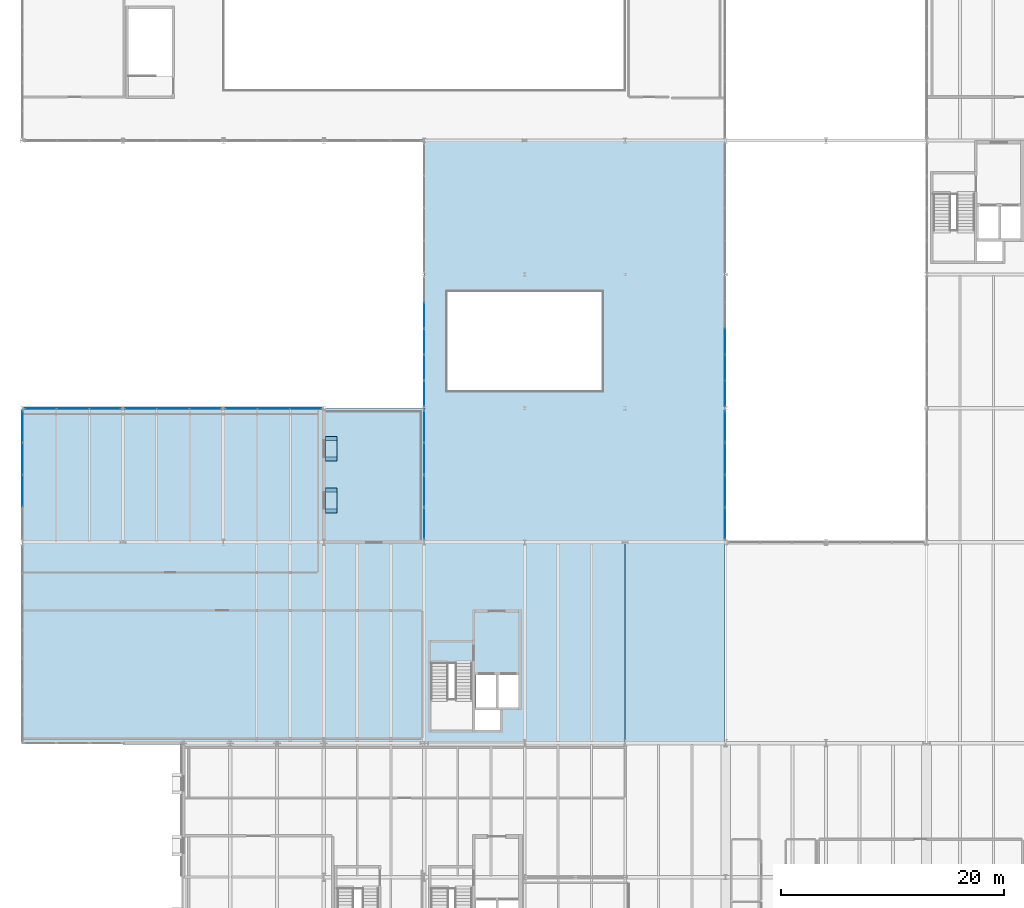
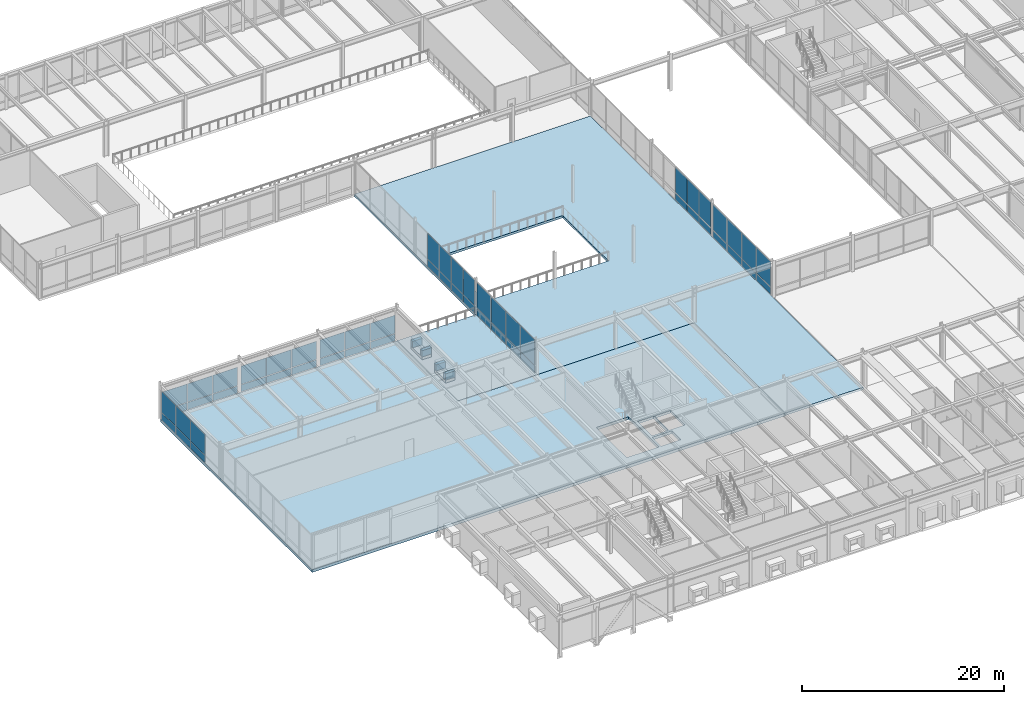
# One storey, part 90 of 115: 62 plates, 3 slabs, 8 elements without a shape of their own.
"""IFC4 building model written with IfcOpenShell, lengths in metres."""

from ifc_helpers import new_model, si_unit, direction, frame, origin, origin_2d, place, context, subcontext, project, spatial, polyline, rectangle, outline, extrude, material, layer, layer_set, type_object, element, aggregate, save


model = new_model("IFC4")

# Units and contexts
model_context = context("Model", 3, precision=1e-05, world=origin(), true_north=direction((0.0, 1.0)))
body_context = subcontext(model_context, "Body", "Model", "MODEL_VIEW")
ifc_project = project(units=[si_unit("LENGTHUNIT", "METRE"), si_unit("AREAUNIT", "SQUARE_METRE"), si_unit("VOLUMEUNIT", "CUBIC_METRE"), si_unit("PLANEANGLEUNIT", "RADIAN"), si_unit("MASSUNIT", "GRAM", prefix="KILO")], contexts=[model_context])

# Site, building, storey
site_placement = place(None, origin())
site = spatial("IfcSite", under=ifc_project, at=site_placement, CompositionType="ELEMENT")
building_placement = place(site_placement, origin())
building = spatial("IfcBuilding", under=site, at=building_placement, Name="Montelvaro Courts of Justice", CompositionType="ELEMENT")
storey_placement = place(building_placement, frame((0.0, 0.0, 9.89990234375)))
storey = spatial("IfcBuildingStorey", under=building, at=storey_placement, Name="L02", CompositionType="ELEMENT", Elevation=9.89990234375)

# Curtain wall, plates
ifc_material_1 = material(Name="Anodised aluminium EN AW-6063", Category="aluminium")
ifc_layer_1 = layer(ifc_material_1, 0.159912109375)
ifc_layer_set_1 = layer_set([ifc_layer_1], Name="Anodised aluminium EN AW-6063")
curtain_wall_type_1 = type_object("IfcCurtainWallType", Name="CurtainWall_18_868x418", PredefinedType="USERDEFINED", material=ifc_layer_set_1)
curtain_wall_1_placement = place(storey_placement, origin())
curtain_wall_1 = element("IfcCurtainWall", 1, at=curtain_wall_1_placement, inside=storey, type_object=curtain_wall_type_1, Name="Curtain Wall CW-18 (L02)", ObjectType="CURTAIN WALL", PredefinedType="USERDEFINED")
ifc_material_2 = material(Name="Low-E solar control double glazing", Category="glass")
ifc_layer_2 = layer(ifc_material_2, 0.028076171875)
ifc_layer_set_2 = layer_set([ifc_layer_2], Name="Low-E solar control double glazing")
plate_type_1 = type_object("IfcPlateType", Name="CurtainWall_Glazed_Panel_28", PredefinedType="CURTAIN_PANEL", material=ifc_layer_set_2)
plate_1_placement = place(storey_placement, frame((43.373291015625, 54.0, 0.0751953125), z_axis=(0.0, 0.0, 1.0), x_axis=(-1.0, 0.0, 0.0)))
plate_1 = element("IfcPlate", 2, at=plate_1_placement, type_object=plate_type_1, Name="CW-18 panel 1.1", PredefinedType="CURTAIN_PANEL", context=body_context, shape_type="SweptSolid", body=[
    extrude(rectangle(XDim=2.80322265625, YDim=0.028076171875, at=origin_2d()), origin(), (0.0, 0.0, 1.0), 0.83740234375),
])
plate_2_placement = place(storey_placement, frame((43.373291015625, 54.0, 0.987548828125), z_axis=(0.0, 0.0, 1.0), x_axis=(-1.0, 0.0, 0.0)))
plate_2 = element("IfcPlate", 3, at=plate_2_placement, type_object=plate_type_1, Name="CW-18 panel 1.2", PredefinedType="CURTAIN_PANEL", context=body_context, shape_type="SweptSolid", body=[
    extrude(rectangle(XDim=2.80322265625, YDim=0.028076171875, at=origin_2d()), origin(), (0.0, 0.0, 1.0), 2.1826171875),
])
plate_3_placement = place(storey_placement, frame((40.4951171875, 54.0, 0.0751953125), z_axis=(0.0, 0.0, 1.0), x_axis=(-1.0, 0.0, 0.0)))
plate_3 = element("IfcPlate", 4, at=plate_3_placement, type_object=plate_type_1, Name="CW-18 panel 2.1", PredefinedType="CURTAIN_PANEL", context=body_context, shape_type="SweptSolid", body=[
    extrude(rectangle(XDim=2.833251953125, YDim=0.028076171875, at=origin_2d()), origin(), (0.0, 0.0, 1.0), 0.83740234375),
])
plate_4_placement = place(storey_placement, frame((40.4951171875, 54.0, 0.987548828125), z_axis=(0.0, 0.0, 1.0), x_axis=(-1.0, 0.0, 0.0)))
plate_4 = element("IfcPlate", 5, at=plate_4_placement, type_object=plate_type_1, Name="CW-18 panel 2.2", PredefinedType="CURTAIN_PANEL", context=body_context, shape_type="SweptSolid", body=[
    extrude(rectangle(XDim=2.833251953125, YDim=0.028076171875, at=origin_2d()), origin(), (0.0, 0.0, 1.0), 2.1826171875),
])
plate_5_placement = place(storey_placement, frame((37.61669921875, 54.0, 0.0751953125), z_axis=(0.0, 0.0, 1.0), x_axis=(-1.0, 0.0, 0.0)))
plate_5 = element("IfcPlate", 6, at=plate_5_placement, type_object=plate_type_1, Name="CW-18 panel 3.1", PredefinedType="CURTAIN_PANEL", context=body_context, shape_type="SweptSolid", body=[
    extrude(rectangle(XDim=2.80322265625, YDim=0.028076171875, at=origin_2d()), origin(), (0.0, 0.0, 1.0), 0.83740234375),
])
plate_6_placement = place(storey_placement, frame((37.61669921875, 54.0, 0.987548828125), z_axis=(0.0, 0.0, 1.0), x_axis=(-1.0, 0.0, 0.0)))
plate_6 = element("IfcPlate", 7, at=plate_6_placement, type_object=plate_type_1, Name="CW-18 panel 3.2", PredefinedType="CURTAIN_PANEL", context=body_context, shape_type="SweptSolid", body=[
    extrude(rectangle(XDim=2.80322265625, YDim=0.028076171875, at=origin_2d()), origin(), (0.0, 0.0, 1.0), 2.1826171875),
])
aggregate(curtain_wall_1, [plate_1, plate_2, plate_3, plate_4, plate_5, plate_6])

curtain_wall_2_placement = place(storey_placement, origin())
curtain_wall_2 = element("IfcCurtainWall", 8, at=curtain_wall_2_placement, inside=storey, type_object=curtain_wall_type_1, Name="Curtain Wall CW-18 (L02)", ObjectType="CURTAIN WALL", PredefinedType="USERDEFINED")
plate_7_placement = place(storey_placement, frame((34.3798828125, 54.0, 0.0751953125), z_axis=(0.0, 0.0, 1.0), x_axis=(-1.0, 0.0, 0.0)))
plate_7 = element("IfcPlate", 9, at=plate_7_placement, type_object=plate_type_1, Name="CW-18 panel 1.1", PredefinedType="CURTAIN_PANEL", context=body_context, shape_type="SweptSolid", body=[
    extrude(rectangle(XDim=2.81005859375, YDim=0.028076171875, at=origin_2d()), origin(), (0.0, 0.0, 1.0), 0.83740234375),
])
plate_8_placement = place(storey_placement, frame((34.3798828125, 54.0, 0.987548828125), z_axis=(0.0, 0.0, 1.0), x_axis=(-1.0, 0.0, 0.0)))
plate_8 = element("IfcPlate", 10, at=plate_8_placement, type_object=plate_type_1, Name="CW-18 panel 1.2", PredefinedType="CURTAIN_PANEL", context=body_context, shape_type="SweptSolid", body=[
    extrude(rectangle(XDim=2.81005859375, YDim=0.028076171875, at=origin_2d()), origin(), (0.0, 0.0, 1.0), 2.1826171875),
])
plate_9_placement = place(storey_placement, frame((31.4951171875, 54.0, 0.0751953125), z_axis=(0.0, 0.0, 1.0), x_axis=(-1.0, 0.0, 0.0)))
plate_9 = element("IfcPlate", 11, at=plate_9_placement, type_object=plate_type_1, Name="CW-18 panel 2.1", PredefinedType="CURTAIN_PANEL", context=body_context, shape_type="SweptSolid", body=[
    extrude(rectangle(XDim=2.840087890625, YDim=0.028076171875, at=origin_2d()), origin(), (0.0, 0.0, 1.0), 0.83740234375),
])
plate_10_placement = place(storey_placement, frame((31.4951171875, 54.0, 0.987548828125), z_axis=(0.0, 0.0, 1.0), x_axis=(-1.0, 0.0, 0.0)))
plate_10 = element("IfcPlate", 12, at=plate_10_placement, type_object=plate_type_1, Name="CW-18 panel 2.2", PredefinedType="CURTAIN_PANEL", context=body_context, shape_type="SweptSolid", body=[
    extrude(rectangle(XDim=2.840087890625, YDim=0.028076171875, at=origin_2d()), origin(), (0.0, 0.0, 1.0), 2.1826171875),
])
plate_11_placement = place(storey_placement, frame((28.610107421875, 54.0, 0.0751953125), z_axis=(0.0, 0.0, 1.0), x_axis=(-1.0, 0.0, 0.0)))
plate_11 = element("IfcPlate", 13, at=plate_11_placement, type_object=plate_type_1, Name="CW-18 panel 3.1", PredefinedType="CURTAIN_PANEL", context=body_context, shape_type="SweptSolid", body=[
    extrude(rectangle(XDim=2.81005859375, YDim=0.028076171875, at=origin_2d()), origin(), (0.0, 0.0, 1.0), 0.83740234375),
])
plate_12_placement = place(storey_placement, frame((28.610107421875, 54.0, 0.987548828125), z_axis=(0.0, 0.0, 1.0), x_axis=(-1.0, 0.0, 0.0)))
plate_12 = element("IfcPlate", 14, at=plate_12_placement, type_object=plate_type_1, Name="CW-18 panel 3.2", PredefinedType="CURTAIN_PANEL", context=body_context, shape_type="SweptSolid", body=[
    extrude(rectangle(XDim=2.81005859375, YDim=0.028076171875, at=origin_2d()), origin(), (0.0, 0.0, 1.0), 2.1826171875),
])
aggregate(curtain_wall_2, [plate_7, plate_8, plate_9, plate_10, plate_11, plate_12])

curtain_wall_3_placement = place(storey_placement, origin())
curtain_wall_3 = element("IfcCurtainWall", 15, at=curtain_wall_3_placement, inside=storey, type_object=curtain_wall_type_1, Name="Curtain Wall CW-18 (L02)", ObjectType="CURTAIN WALL", PredefinedType="USERDEFINED")
plate_13_placement = place(storey_placement, frame((25.3916015625, 54.0, 0.06005859375), z_axis=(0.0, 0.0, 1.0), x_axis=(-1.0, 0.0, 0.0)))
plate_13 = element("IfcPlate", 16, at=plate_13_placement, type_object=plate_type_1, Name="CW-18 panel 1.1", PredefinedType="CURTAIN_PANEL", context=body_context, shape_type="SweptSolid", body=[
    extrude(rectangle(XDim=2.806640625, YDim=0.028076171875, at=origin_2d()), origin(), (0.0, 0.0, 1.0), 0.860107421875),
])
plate_14_placement = place(storey_placement, frame((25.3916015625, 54.0, 0.97998046875), z_axis=(0.0, 0.0, 1.0), x_axis=(-1.0, 0.0, 0.0)))
plate_14 = element("IfcPlate", 17, at=plate_14_placement, type_object=plate_type_1, Name="CW-18 panel 1.2", PredefinedType="CURTAIN_PANEL", context=body_context, shape_type="SweptSolid", body=[
    extrude(rectangle(XDim=2.806640625, YDim=0.028076171875, at=origin_2d()), origin(), (0.0, 0.0, 1.0), 2.205078125),
])
plate_15_placement = place(storey_placement, frame((22.510009765625, 54.0, 0.06005859375), z_axis=(0.0, 0.0, 1.0), x_axis=(-1.0, 0.0, 0.0)))
plate_15 = element("IfcPlate", 18, at=plate_15_placement, type_object=plate_type_1, Name="CW-18 panel 2.1", PredefinedType="CURTAIN_PANEL", context=body_context, shape_type="SweptSolid", body=[
    extrude(rectangle(XDim=2.836669921875, YDim=0.028076171875, at=origin_2d()), origin(), (0.0, 0.0, 1.0), 0.860107421875),
])
plate_16_placement = place(storey_placement, frame((22.510009765625, 54.0, 0.97998046875), z_axis=(0.0, 0.0, 1.0), x_axis=(-1.0, 0.0, 0.0)))
plate_16 = element("IfcPlate", 19, at=plate_16_placement, type_object=plate_type_1, Name="CW-18 panel 2.2", PredefinedType="CURTAIN_PANEL", context=body_context, shape_type="SweptSolid", body=[
    extrude(rectangle(XDim=2.836669921875, YDim=0.028076171875, at=origin_2d()), origin(), (0.0, 0.0, 1.0), 2.205078125),
])
plate_17_placement = place(storey_placement, frame((19.62841796875, 54.0, 0.06005859375), z_axis=(0.0, 0.0, 1.0), x_axis=(-1.0, 0.0, 0.0)))
plate_17 = element("IfcPlate", 20, at=plate_17_placement, type_object=plate_type_1, Name="CW-18 panel 3.1", PredefinedType="CURTAIN_PANEL", context=body_context, shape_type="SweptSolid", body=[
    extrude(rectangle(XDim=2.806640625, YDim=0.028076171875, at=origin_2d()), origin(), (0.0, 0.0, 1.0), 0.860107421875),
])
plate_18_placement = place(storey_placement, frame((19.62841796875, 54.0, 0.97998046875), z_axis=(0.0, 0.0, 1.0), x_axis=(-1.0, 0.0, 0.0)))
plate_18 = element("IfcPlate", 21, at=plate_18_placement, type_object=plate_type_1, Name="CW-18 panel 3.2", PredefinedType="CURTAIN_PANEL", context=body_context, shape_type="SweptSolid", body=[
    extrude(rectangle(XDim=2.806640625, YDim=0.028076171875, at=origin_2d()), origin(), (0.0, 0.0, 1.0), 2.205078125),
])
aggregate(curtain_wall_3, [plate_13, plate_14, plate_15, plate_16, plate_17, plate_18])

ifc_layer_3 = layer(ifc_material_1, 0.159912109375)
ifc_layer_set_3 = layer_set([ifc_layer_3], Name="Anodised aluminium EN AW-6063")
curtain_wall_type_2 = type_object("IfcCurtainWallType", Name="CurtainWall_23_1154x418", PredefinedType="USERDEFINED", material=ifc_layer_set_3)
curtain_wall_4_placement = place(storey_placement, origin())
curtain_wall_4 = element("IfcCurtainWall", 22, at=curtain_wall_4_placement, inside=storey, type_object=curtain_wall_type_2, Name="Curtain Wall CW-23 (L02)", ObjectType="CURTAIN WALL", PredefinedType="USERDEFINED")
plate_19_placement = place(storey_placement, frame((18.0, 52.37255859375, 0.06005859375), z_axis=(0.0, 0.0, 1.0), x_axis=(0.0, -1.0, 0.0)))
plate_19 = element("IfcPlate", 23, at=plate_19_placement, type_object=plate_type_1, Name="CW-23 panel 1.1", PredefinedType="CURTAIN_PANEL", context=body_context, shape_type="SweptSolid", body=[
    extrude(rectangle(XDim=2.794921875, YDim=0.028076171875, at=origin_2d()), origin(), (0.0, 0.0, 1.0), 0.860107421875),
])
plate_20_placement = place(storey_placement, frame((18.0, 52.37255859375, 0.97998046875), z_axis=(0.0, 0.0, 1.0), x_axis=(0.0, -1.0, 0.0)))
plate_20 = element("IfcPlate", 24, at=plate_20_placement, type_object=plate_type_1, Name="CW-23 panel 1.2", PredefinedType="CURTAIN_PANEL", context=body_context, shape_type="SweptSolid", body=[
    extrude(rectangle(XDim=2.794921875, YDim=0.028076171875, at=origin_2d()), origin(), (0.0, 0.0, 1.0), 2.514892578125),
])
plate_21_placement = place(storey_placement, frame((18.0, 49.496337890625, 0.06005859375), z_axis=(0.0, 0.0, 1.0), x_axis=(0.0, -1.0, 0.0)))
plate_21 = element("IfcPlate", 25, at=plate_21_placement, type_object=plate_type_1, Name="CW-23 panel 2.1", PredefinedType="CURTAIN_PANEL", context=body_context, shape_type="SweptSolid", body=[
    extrude(rectangle(XDim=2.827392578125, YDim=0.028076171875, at=origin_2d()), origin(), (0.0, 0.0, 1.0), 0.860107421875),
])
plate_22_placement = place(storey_placement, frame((18.0, 49.496337890625, 0.97998046875), z_axis=(0.0, 0.0, 1.0), x_axis=(0.0, -1.0, 0.0)))
plate_22 = element("IfcPlate", 26, at=plate_22_placement, type_object=plate_type_1, Name="CW-23 panel 2.2", PredefinedType="CURTAIN_PANEL", context=body_context, shape_type="SweptSolid", body=[
    extrude(rectangle(XDim=2.827392578125, YDim=0.028076171875, at=origin_2d()), origin(), (0.0, 0.0, 1.0), 2.514892578125),
])
plate_23_placement = place(storey_placement, frame((18.0, 46.603759765625, 0.06005859375), z_axis=(0.0, 0.0, 1.0), x_axis=(0.0, -1.0, 0.0)))
plate_23 = element("IfcPlate", 27, at=plate_23_placement, type_object=plate_type_1, Name="CW-23 panel 3.1", PredefinedType="CURTAIN_PANEL", context=body_context, shape_type="SweptSolid", body=[
    extrude(rectangle(XDim=2.827392578125, YDim=0.028076171875, at=origin_2d()), origin(), (0.0, 0.0, 1.0), 0.860107421875),
])
plate_24_placement = place(storey_placement, frame((18.0, 46.603759765625, 0.97998046875), z_axis=(0.0, 0.0, 1.0), x_axis=(0.0, -1.0, 0.0)))
plate_24 = element("IfcPlate", 28, at=plate_24_placement, type_object=plate_type_1, Name="CW-23 panel 3.2", PredefinedType="CURTAIN_PANEL", context=body_context, shape_type="SweptSolid", body=[
    extrude(rectangle(XDim=2.827392578125, YDim=0.028076171875, at=origin_2d()), origin(), (0.0, 0.0, 1.0), 2.514892578125),
])
aggregate(curtain_wall_4, [plate_19, plate_20, plate_21, plate_22, plate_23, plate_24])

ifc_layer_4 = layer(ifc_material_1, 0.159912109375)
ifc_layer_set_4 = layer_set([ifc_layer_4], Name="Anodised aluminium EN AW-6063")
curtain_wall_type_3 = type_object("IfcCurtainWallType", Name="CurtainWall_19_1159x418", PredefinedType="USERDEFINED", material=ifc_layer_set_4)
curtain_wall_5_placement = place(storey_placement, origin())
curtain_wall_5 = element("IfcCurtainWall", 29, at=curtain_wall_5_placement, inside=storey, type_object=curtain_wall_type_3, Name="Curtain Wall CW-19 (L02)", ObjectType="CURTAIN WALL", PredefinedType="USERDEFINED")
plate_25_placement = place(storey_placement, frame((80.949951171875, 43.710693359375, 0.0751953125), z_axis=(0.0, 0.0, 1.0), x_axis=(0.0, 1.0, 0.0)))
plate_25 = element("IfcPlate", 30, at=plate_25_placement, type_object=plate_type_1, Name="CW-19 panel 1.1", PredefinedType="CURTAIN_PANEL", context=body_context, shape_type="SweptSolid", body=[
    extrude(rectangle(XDim=2.791259765625, YDim=0.028076171875, at=origin_2d()), origin(), (0.0, 0.0, 1.0), 0.83740234375),
])
plate_26_placement = place(storey_placement, frame((80.949951171875, 43.710693359375, 0.987548828125), z_axis=(0.0, 0.0, 1.0), x_axis=(0.0, 1.0, 0.0)))
plate_26 = element("IfcPlate", 31, at=plate_26_placement, type_object=plate_type_1, Name="CW-19 panel 1.2", PredefinedType="CURTAIN_PANEL", context=body_context, shape_type="SweptSolid", body=[
    extrude(rectangle(XDim=2.791259765625, YDim=0.028076171875, at=origin_2d()), origin(), (0.0, 0.0, 1.0), 3.0576171875),
])
plate_27_placement = place(storey_placement, frame((80.949951171875, 46.595703125, 0.0751953125), z_axis=(0.0, 0.0, 1.0), x_axis=(0.0, 1.0, 0.0)))
plate_27 = element("IfcPlate", 32, at=plate_27_placement, type_object=plate_type_1, Name="CW-19 panel 2.1", PredefinedType="CURTAIN_PANEL", context=body_context, shape_type="SweptSolid", body=[
    extrude(rectangle(XDim=2.828857421875, YDim=0.028076171875, at=origin_2d()), origin(), (0.0, 0.0, 1.0), 0.83740234375),
])
plate_28_placement = place(storey_placement, frame((80.949951171875, 46.595703125, 0.987548828125), z_axis=(0.0, 0.0, 1.0), x_axis=(0.0, 1.0, 0.0)))
plate_28 = element("IfcPlate", 33, at=plate_28_placement, type_object=plate_type_1, Name="CW-19 panel 2.2", PredefinedType="CURTAIN_PANEL", context=body_context, shape_type="SweptSolid", body=[
    extrude(rectangle(XDim=2.828857421875, YDim=0.028076171875, at=origin_2d()), origin(), (0.0, 0.0, 1.0), 3.0576171875),
])
plate_29_placement = place(storey_placement, frame((80.949951171875, 49.499267578125, 0.0751953125), z_axis=(0.0, 0.0, 1.0), x_axis=(0.0, 1.0, 0.0)))
plate_29 = element("IfcPlate", 34, at=plate_29_placement, type_object=plate_type_1, Name="CW-19 panel 3.1", PredefinedType="CURTAIN_PANEL", context=body_context, shape_type="SweptSolid", body=[
    extrude(rectangle(XDim=2.828857421875, YDim=0.028076171875, at=origin_2d()), origin(), (0.0, 0.0, 1.0), 0.83740234375),
])
plate_30_placement = place(storey_placement, frame((80.949951171875, 49.499267578125, 0.987548828125), z_axis=(0.0, 0.0, 1.0), x_axis=(0.0, 1.0, 0.0)))
plate_30 = element("IfcPlate", 35, at=plate_30_placement, type_object=plate_type_1, Name="CW-19 panel 3.2", PredefinedType="CURTAIN_PANEL", context=body_context, shape_type="SweptSolid", body=[
    extrude(rectangle(XDim=2.828857421875, YDim=0.028076171875, at=origin_2d()), origin(), (0.0, 0.0, 1.0), 3.0576171875),
])
plate_31_placement = place(storey_placement, frame((80.949951171875, 52.38427734375, 0.0751953125), z_axis=(0.0, 0.0, 1.0), x_axis=(0.0, 1.0, 0.0)))
plate_31 = element("IfcPlate", 36, at=plate_31_placement, type_object=plate_type_1, Name="CW-19 panel 4.1", PredefinedType="CURTAIN_PANEL", context=body_context, shape_type="SweptSolid", body=[
    extrude(rectangle(XDim=2.791259765625, YDim=0.028076171875, at=origin_2d()), origin(), (0.0, 0.0, 1.0), 0.83740234375),
])
plate_32_placement = place(storey_placement, frame((80.949951171875, 52.38427734375, 0.987548828125), z_axis=(0.0, 0.0, 1.0), x_axis=(0.0, 1.0, 0.0)))
plate_32 = element("IfcPlate", 37, at=plate_32_placement, type_object=plate_type_1, Name="CW-19 panel 4.2", PredefinedType="CURTAIN_PANEL", context=body_context, shape_type="SweptSolid", body=[
    extrude(rectangle(XDim=2.791259765625, YDim=0.028076171875, at=origin_2d()), origin(), (0.0, 0.0, 1.0), 3.0576171875),
])
aggregate(curtain_wall_5, [plate_25, plate_26, plate_27, plate_28, plate_29, plate_30, plate_31, plate_32])

ifc_layer_5 = layer(ifc_material_1, 0.159912109375)
ifc_layer_set_5 = layer_set([ifc_layer_5], Name="Anodised aluminium EN AW-6063")
curtain_wall_type_4 = type_object("IfcCurtainWallType", Name="CurtainWall_24_1169x418", PredefinedType="USERDEFINED", material=ifc_layer_set_5)
curtain_wall_6_placement = place(storey_placement, origin())
curtain_wall_6 = element("IfcCurtainWall", 38, at=curtain_wall_6_placement, inside=storey, type_object=curtain_wall_type_4, Name="Curtain Wall CW-24 (L02)", ObjectType="CURTAIN WALL", PredefinedType="USERDEFINED")
plate_33_placement = place(storey_placement, frame((80.949951171875, 55.3310546875, 0.0751953125), z_axis=(0.0, 0.0, 1.0), x_axis=(0.0, 1.0, 0.0)))
plate_33 = element("IfcPlate", 39, at=plate_33_placement, type_object=plate_type_1, Name="CW-24 panel 1.1", PredefinedType="CURTAIN_PANEL", context=body_context, shape_type="SweptSolid", body=[
    extrude(rectangle(XDim=2.251953125, YDim=0.028076171875, at=origin_2d()), origin(), (0.0, 0.0, 1.0), 0.83740234375),
])
plate_34_placement = place(storey_placement, frame((80.949951171875, 55.3310546875, 0.987548828125), z_axis=(0.0, 0.0, 1.0), x_axis=(0.0, 1.0, 0.0)))
plate_34 = element("IfcPlate", 40, at=plate_34_placement, type_object=plate_type_1, Name="CW-24 panel 1.2", PredefinedType="CURTAIN_PANEL", context=body_context, shape_type="SweptSolid", body=[
    extrude(rectangle(XDim=2.251953125, YDim=0.028076171875, at=origin_2d()), origin(), (0.0, 0.0, 1.0), 3.0576171875),
])
plate_35_placement = place(storey_placement, frame((80.949951171875, 57.657958984375, 0.0751953125), z_axis=(0.0, 0.0, 1.0), x_axis=(0.0, 1.0, 0.0)))
plate_35 = element("IfcPlate", 41, at=plate_35_placement, type_object=plate_type_1, Name="CW-24 panel 2.1", PredefinedType="CURTAIN_PANEL", context=body_context, shape_type="SweptSolid", body=[
    extrude(rectangle(XDim=2.281982421875, YDim=0.028076171875, at=origin_2d()), origin(), (0.0, 0.0, 1.0), 0.83740234375),
])
plate_36_placement = place(storey_placement, frame((80.949951171875, 57.657958984375, 0.987548828125), z_axis=(0.0, 0.0, 1.0), x_axis=(0.0, 1.0, 0.0)))
plate_36 = element("IfcPlate", 42, at=plate_36_placement, type_object=plate_type_1, Name="CW-24 panel 2.2", PredefinedType="CURTAIN_PANEL", context=body_context, shape_type="SweptSolid", body=[
    extrude(rectangle(XDim=2.281982421875, YDim=0.028076171875, at=origin_2d()), origin(), (0.0, 0.0, 1.0), 3.0576171875),
])
plate_37_placement = place(storey_placement, frame((80.949951171875, 60.0, 0.0751953125), z_axis=(0.0, 0.0, 1.0), x_axis=(0.0, 1.0, 0.0)))
plate_37 = element("IfcPlate", 43, at=plate_37_placement, type_object=plate_type_1, Name="CW-24 panel 3.1", PredefinedType="CURTAIN_PANEL", context=body_context, shape_type="SweptSolid", body=[
    extrude(rectangle(XDim=2.281982421875, YDim=0.028076171875, at=origin_2d()), origin(), (0.0, 0.0, 1.0), 0.83740234375),
])
plate_38_placement = place(storey_placement, frame((80.949951171875, 60.0, 0.987548828125), z_axis=(0.0, 0.0, 1.0), x_axis=(0.0, 1.0, 0.0)))
plate_38 = element("IfcPlate", 44, at=plate_38_placement, type_object=plate_type_1, Name="CW-24 panel 3.2", PredefinedType="CURTAIN_PANEL", context=body_context, shape_type="SweptSolid", body=[
    extrude(rectangle(XDim=2.281982421875, YDim=0.028076171875, at=origin_2d()), origin(), (0.0, 0.0, 1.0), 3.0576171875),
])
aggregate(curtain_wall_6, [plate_33, plate_34, plate_35, plate_36, plate_37, plate_38])

curtain_wall_7_placement = place(storey_placement, origin())
curtain_wall_7 = element("IfcCurtainWall", 45, at=curtain_wall_7_placement, inside=storey, type_object=curtain_wall_type_4, Name="Curtain Wall CW-24 (L02)", ObjectType="CURTAIN WALL", PredefinedType="USERDEFINED")
plate_39_placement = place(storey_placement, frame((54.0, 62.342041015625, 0.06005859375), z_axis=(0.0, 0.0, 1.0), x_axis=(0.0, -1.0, 0.0)))
plate_39 = element("IfcPlate", 46, at=plate_39_placement, type_object=plate_type_1, Name="CW-24 panel 2.1", PredefinedType="CURTAIN_PANEL", context=body_context, shape_type="SweptSolid", body=[
    extrude(rectangle(XDim=2.277099609375, YDim=0.028076171875, at=origin_2d()), origin(), (0.0, 0.0, 1.0), 0.860107421875),
])
plate_40_placement = place(storey_placement, frame((54.0, 62.342041015625, 0.97998046875), z_axis=(0.0, 0.0, 1.0), x_axis=(0.0, -1.0, 0.0)))
plate_40 = element("IfcPlate", 47, at=plate_40_placement, type_object=plate_type_1, Name="CW-24 panel 2.2", PredefinedType="CURTAIN_PANEL", context=body_context, shape_type="SweptSolid", body=[
    extrude(rectangle(XDim=2.277099609375, YDim=0.028076171875, at=origin_2d()), origin(), (0.0, 0.0, 1.0), 3.080078125),
])
plate_41_placement = place(storey_placement, frame((54.0, 60.0, 0.06005859375), z_axis=(0.0, 0.0, 1.0), x_axis=(0.0, -1.0, 0.0)))
plate_41 = element("IfcPlate", 48, at=plate_41_placement, type_object=plate_type_1, Name="CW-24 panel 3.1", PredefinedType="CURTAIN_PANEL", context=body_context, shape_type="SweptSolid", body=[
    extrude(rectangle(XDim=2.277099609375, YDim=0.028076171875, at=origin_2d()), origin(), (0.0, 0.0, 1.0), 0.860107421875),
])
plate_42_placement = place(storey_placement, frame((54.0, 60.0, 0.97998046875), z_axis=(0.0, 0.0, 1.0), x_axis=(0.0, -1.0, 0.0)))
plate_42 = element("IfcPlate", 49, at=plate_42_placement, type_object=plate_type_1, Name="CW-24 panel 3.2", PredefinedType="CURTAIN_PANEL", context=body_context, shape_type="SweptSolid", body=[
    extrude(rectangle(XDim=2.277099609375, YDim=0.028076171875, at=origin_2d()), origin(), (0.0, 0.0, 1.0), 3.080078125),
])
plate_43_placement = place(storey_placement, frame((54.0, 57.657958984375, 0.06005859375), z_axis=(0.0, 0.0, 1.0), x_axis=(0.0, -1.0, 0.0)))
plate_43 = element("IfcPlate", 50, at=plate_43_placement, type_object=plate_type_1, Name="CW-24 panel 4.1", PredefinedType="CURTAIN_PANEL", context=body_context, shape_type="SweptSolid", body=[
    extrude(rectangle(XDim=2.277099609375, YDim=0.028076171875, at=origin_2d()), origin(), (0.0, 0.0, 1.0), 0.860107421875),
])
plate_44_placement = place(storey_placement, frame((54.0, 57.657958984375, 0.97998046875), z_axis=(0.0, 0.0, 1.0), x_axis=(0.0, -1.0, 0.0)))
plate_44 = element("IfcPlate", 51, at=plate_44_placement, type_object=plate_type_1, Name="CW-24 panel 4.2", PredefinedType="CURTAIN_PANEL", context=body_context, shape_type="SweptSolid", body=[
    extrude(rectangle(XDim=2.277099609375, YDim=0.028076171875, at=origin_2d()), origin(), (0.0, 0.0, 1.0), 3.080078125),
])
plate_45_placement = place(storey_placement, frame((54.0, 55.332275390625, 0.06005859375), z_axis=(0.0, 0.0, 1.0), x_axis=(0.0, -1.0, 0.0)))
plate_45 = element("IfcPlate", 52, at=plate_45_placement, type_object=plate_type_1, Name="CW-24 panel 5.1", PredefinedType="CURTAIN_PANEL", context=body_context, shape_type="SweptSolid", body=[
    extrude(rectangle(XDim=2.244384765625, YDim=0.028076171875, at=origin_2d()), origin(), (0.0, 0.0, 1.0), 0.860107421875),
])
plate_46_placement = place(storey_placement, frame((54.0, 55.332275390625, 0.97998046875), z_axis=(0.0, 0.0, 1.0), x_axis=(0.0, -1.0, 0.0)))
plate_46 = element("IfcPlate", 53, at=plate_46_placement, type_object=plate_type_1, Name="CW-24 panel 5.2", PredefinedType="CURTAIN_PANEL", context=body_context, shape_type="SweptSolid", body=[
    extrude(rectangle(XDim=2.244384765625, YDim=0.028076171875, at=origin_2d()), origin(), (0.0, 0.0, 1.0), 3.080078125),
])
aggregate(curtain_wall_7, [plate_39, plate_40, plate_41, plate_42, plate_43, plate_44, plate_45, plate_46])

curtain_wall_8_placement = place(storey_placement, origin())
curtain_wall_8 = element("IfcCurtainWall", 54, at=curtain_wall_8_placement, inside=storey, type_object=curtain_wall_type_3, Name="Curtain Wall CW-19 (L02)", ObjectType="CURTAIN WALL", PredefinedType="USERDEFINED")
plate_47_placement = place(storey_placement, frame((54.0, 52.38427734375, 0.0751953125), z_axis=(0.0, 0.0, 1.0), x_axis=(0.0, -1.0, 0.0)))
plate_47 = element("IfcPlate", 55, at=plate_47_placement, type_object=plate_type_1, Name="CW-19 panel 1.1", PredefinedType="CURTAIN_PANEL", context=body_context, shape_type="SweptSolid", body=[
    extrude(rectangle(XDim=2.791259765625, YDim=0.028076171875, at=origin_2d()), origin(), (0.0, 0.0, 1.0), 0.83740234375),
])
plate_48_placement = place(storey_placement, frame((54.0, 52.38427734375, 0.987548828125), z_axis=(0.0, 0.0, 1.0), x_axis=(0.0, -1.0, 0.0)))
plate_48 = element("IfcPlate", 56, at=plate_48_placement, type_object=plate_type_1, Name="CW-19 panel 1.2", PredefinedType="CURTAIN_PANEL", context=body_context, shape_type="SweptSolid", body=[
    extrude(rectangle(XDim=2.791259765625, YDim=0.028076171875, at=origin_2d()), origin(), (0.0, 0.0, 1.0), 3.0576171875),
])
plate_49_placement = place(storey_placement, frame((54.0, 49.499267578125, 0.0751953125), z_axis=(0.0, 0.0, 1.0), x_axis=(0.0, -1.0, 0.0)))
plate_49 = element("IfcPlate", 57, at=plate_49_placement, type_object=plate_type_1, Name="CW-19 panel 2.1", PredefinedType="CURTAIN_PANEL", context=body_context, shape_type="SweptSolid", body=[
    extrude(rectangle(XDim=2.828857421875, YDim=0.028076171875, at=origin_2d()), origin(), (0.0, 0.0, 1.0), 0.83740234375),
])
plate_50_placement = place(storey_placement, frame((54.0, 49.499267578125, 0.987548828125), z_axis=(0.0, 0.0, 1.0), x_axis=(0.0, -1.0, 0.0)))
plate_50 = element("IfcPlate", 58, at=plate_50_placement, type_object=plate_type_1, Name="CW-19 panel 2.2", PredefinedType="CURTAIN_PANEL", context=body_context, shape_type="SweptSolid", body=[
    extrude(rectangle(XDim=2.828857421875, YDim=0.028076171875, at=origin_2d()), origin(), (0.0, 0.0, 1.0), 3.0576171875),
])
plate_51_placement = place(storey_placement, frame((54.0, 46.595703125, 0.0751953125), z_axis=(0.0, 0.0, 1.0), x_axis=(0.0, -1.0, 0.0)))
plate_51 = element("IfcPlate", 59, at=plate_51_placement, type_object=plate_type_1, Name="CW-19 panel 3.1", PredefinedType="CURTAIN_PANEL", context=body_context, shape_type="SweptSolid", body=[
    extrude(rectangle(XDim=2.828857421875, YDim=0.028076171875, at=origin_2d()), origin(), (0.0, 0.0, 1.0), 0.83740234375),
])
plate_52_placement = place(storey_placement, frame((54.0, 46.595703125, 0.987548828125), z_axis=(0.0, 0.0, 1.0), x_axis=(0.0, -1.0, 0.0)))
plate_52 = element("IfcPlate", 60, at=plate_52_placement, type_object=plate_type_1, Name="CW-19 panel 3.2", PredefinedType="CURTAIN_PANEL", context=body_context, shape_type="SweptSolid", body=[
    extrude(rectangle(XDim=2.828857421875, YDim=0.028076171875, at=origin_2d()), origin(), (0.0, 0.0, 1.0), 3.0576171875),
])
plate_53_placement = place(storey_placement, frame((54.0, 43.710693359375, 0.0751953125), z_axis=(0.0, 0.0, 1.0), x_axis=(0.0, -1.0, 0.0)))
plate_53 = element("IfcPlate", 61, at=plate_53_placement, type_object=plate_type_1, Name="CW-19 panel 4.1", PredefinedType="CURTAIN_PANEL", context=body_context, shape_type="SweptSolid", body=[
    extrude(rectangle(XDim=2.791259765625, YDim=0.028076171875, at=origin_2d()), origin(), (0.0, 0.0, 1.0), 0.83740234375),
])
plate_54_placement = place(storey_placement, frame((54.0, 43.710693359375, 0.987548828125), z_axis=(0.0, 0.0, 1.0), x_axis=(0.0, -1.0, 0.0)))
plate_54 = element("IfcPlate", 62, at=plate_54_placement, type_object=plate_type_1, Name="CW-19 panel 4.2", PredefinedType="CURTAIN_PANEL", context=body_context, shape_type="SweptSolid", body=[
    extrude(rectangle(XDim=2.791259765625, YDim=0.028076171875, at=origin_2d()), origin(), (0.0, 0.0, 1.0), 3.0576171875),
])
aggregate(curtain_wall_8, [plate_47, plate_48, plate_49, plate_50, plate_51, plate_52, plate_53, plate_54])

# Slabs
ifc_material_3 = material(Name="Concrete C35/45", Category="concrete")
ifc_layer_6 = layer(ifc_material_3, 0.280029296875)
ifc_layer_set_6 = layer_set([ifc_layer_6], Name="Concrete C35/45")
slab_type_1 = type_object("IfcSlabType", Name="FloorSlab_280", PredefinedType="FLOOR", material=ifc_layer_set_6)
slab_1_placement = place(storey_placement, frame((0.0, 0.0, -0.27978515625)))
element("IfcSlab", 63, at=slab_1_placement, inside=storey, type_object=slab_type_1, Name="Structural Slab SF-04 L02", PredefinedType="FLOOR", context=body_context, shape_type="SweptSolid", body=[
    extrude(outline(polyline([(72.0, 24.0), (80.949951171875, 24.0), (80.949951171875, 78.0), (54.0, 78.0), (54.0, 42.0), (72.0, 42.0), (72.0, 24.0)]), holes=[polyline([(56.0, 55.5), (70.0, 55.5), (70.0, 64.5), (56.0, 64.5), (56.0, 55.5)])]), origin(), (0.0, 0.0, 1.0), 0.27978515625),
])
ifc_layer_7 = layer(ifc_material_3, 0.340087890625)
ifc_layer_set_7 = layer_set([ifc_layer_7], Name="Concrete C35/45")
slab_type_2 = type_object("IfcSlabType", Name="FloorSlab_340", PredefinedType="FLOOR", material=ifc_layer_set_7)
slab_2_placement = place(storey_placement, frame((0.0, 0.0, -0.33984375)))
element("IfcSlab", 64, at=slab_2_placement, inside=storey, type_object=slab_type_2, Name="Structural Slab SF-03 L02", PredefinedType="FLOOR", context=body_context, shape_type="SweptSolid", body=[
    extrude(outline(polyline([(18.0, 24.0), (72.0, 24.0), (72.0, 42.0), (45.0, 42.0), (45.0, 54.0), (18.0, 54.0), (18.0, 24.0)]), holes=[polyline([(54.60009765625, 25.199951171875), (58.300048828125, 25.199951171875), (58.300048828125, 31.199951171875), (54.60009765625, 31.199951171875), (54.60009765625, 25.199951171875)]), polyline([(58.5400390625, 25.199951171875), (60.800048828125, 25.199951171875), (60.800048828125, 26.9599609375), (58.5400390625, 26.9599609375), (58.5400390625, 25.199951171875)]), polyline([(58.64990234375, 27.199951171875), (60.5, 27.199951171875), (60.5, 30.10009765625), (58.64990234375, 30.10009765625), (58.64990234375, 27.199951171875)]), polyline([(60.60009765625, 27.199951171875), (62.449951171875, 27.199951171875), (62.449951171875, 30.10009765625), (60.60009765625, 30.10009765625), (60.60009765625, 27.199951171875)])]), origin(), (0.0, 0.0, 1.0), 0.33984375),
])

# Plates
ifc_material_4 = material(Name="White mineral precast concrete C45/55", Category="concrete")
ifc_layer_8 = layer(ifc_material_4, 0.35009765625)
ifc_layer_set_8 = layer_set([ifc_layer_8], Name="White mineral precast concrete C45/55")
plate_type_2 = type_object("IfcPlateType", Name="PrecastSquareFrame_350x1050", PredefinedType="SHEET", material=ifc_layer_set_8)
for number, where, z_axis, x_axis, name in (
    (65, (45.669921875, 45.7470703125, 1.60009765625), (0.0, 0.0, 1.0), (0.0, 1.0, 0.0), "Graduated Square Window Frame PF-01 W-L02-107 TOP"),
    (66, (45.669921875, 45.7470703125, 0.5), (0.0, 0.0, 1.0), (0.0, 1.0, 0.0), "Graduated Square Window Frame PF-01 W-L02-107 BOT"),
):
    element("IfcPlate", number, at=place(storey_placement, frame(where, z_axis=z_axis, x_axis=x_axis)), inside=storey, type_object=plate_type_2, Name=name, PredefinedType="SHEET", context=body_context, shape_type="SweptSolid", body=[
        extrude(rectangle(XDim=2.199951171875, YDim=1.06005859375, at=origin_2d()), origin(), (0.0, 0.0, 1.0), 0.35009765625),
    ])
for number, where, z_axis, x_axis, name in (
    (67, (45.669921875, 44.822021484375, 0.85009765625), (0.0, 0.0, 1.0), (0.0, 1.0, 0.0), "Graduated Square Window Frame PF-01 W-L02-107 L"),
    (68, (45.669921875, 46.672119140625, 0.85009765625), (0.0, 0.0, 1.0), (0.0, 1.0, 0.0), "Graduated Square Window Frame PF-01 W-L02-107 R"),
):
    element("IfcPlate", number, at=place(storey_placement, frame(where, z_axis=z_axis, x_axis=x_axis)), inside=storey, type_object=plate_type_2, Name=name, PredefinedType="SHEET", context=body_context, shape_type="SweptSolid", body=[
        extrude(rectangle(XDim=0.35009765625, YDim=1.06005859375, at=origin_2d()), origin(), (0.0, 0.0, 1.0), 0.75),
    ])
for number, where, z_axis, x_axis, name in (
    (69, (45.669921875, 50.3779296875, 1.60009765625), (0.0, 0.0, 1.0), (0.0, 1.0, 0.0), "Graduated Square Window Frame PF-01 W-L02-108 TOP"),
    (70, (45.669921875, 50.3779296875, 0.5), (0.0, 0.0, 1.0), (0.0, 1.0, 0.0), "Graduated Square Window Frame PF-01 W-L02-108 BOT"),
):
    element("IfcPlate", number, at=place(storey_placement, frame(where, z_axis=z_axis, x_axis=x_axis)), inside=storey, type_object=plate_type_2, Name=name, PredefinedType="SHEET", context=body_context, shape_type="SweptSolid", body=[
        extrude(rectangle(XDim=2.199951171875, YDim=1.06005859375, at=origin_2d()), origin(), (0.0, 0.0, 1.0), 0.35009765625),
    ])
for number, where, z_axis, x_axis, name in (
    (71, (45.669921875, 49.452880859375, 0.85009765625), (0.0, 0.0, 1.0), (0.0, 1.0, 0.0), "Graduated Square Window Frame PF-01 W-L02-108 L"),
    (72, (45.669921875, 51.302978515625, 0.85009765625), (0.0, 0.0, 1.0), (0.0, 1.0, 0.0), "Graduated Square Window Frame PF-01 W-L02-108 R"),
):
    element("IfcPlate", number, at=place(storey_placement, frame(where, z_axis=z_axis, x_axis=x_axis)), inside=storey, type_object=plate_type_2, Name=name, PredefinedType="SHEET", context=body_context, shape_type="SweptSolid", body=[
        extrude(rectangle(XDim=0.35009765625, YDim=1.06005859375, at=origin_2d()), origin(), (0.0, 0.0, 1.0), 0.75),
    ])

# Slab
ifc_layer_9 = layer(ifc_material_3, 0.25)
ifc_layer_set_9 = layer_set([ifc_layer_9], Name="Concrete C35/45")
slab_type_3 = type_object("IfcSlabType", Name="TerraceSlab_250", PredefinedType="FLOOR", material=ifc_layer_set_9)
slab_3_placement = place(storey_placement, frame((0.0, 0.0, -0.25)))
element("IfcSlab", 73, at=slab_3_placement, inside=storey, type_object=slab_type_3, Name="Library Courtyard Terrace", PredefinedType="FLOOR", context=body_context, shape_type="SweptSolid", body=[
    extrude(outline(polyline([(45.0, 42.0), (54.0, 42.0), (54.0, 54.0), (45.0, 54.0), (45.0, 42.0)])), origin(), (0.0, 0.0, 1.0), 0.25),
])

save(model, "model.ifc")
